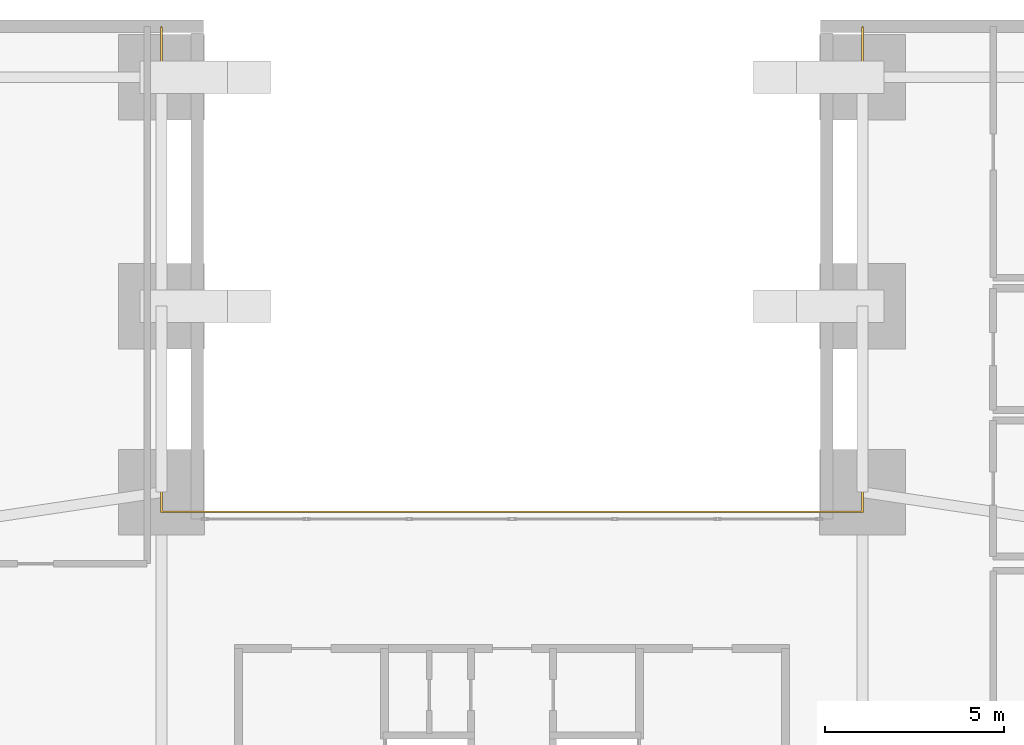
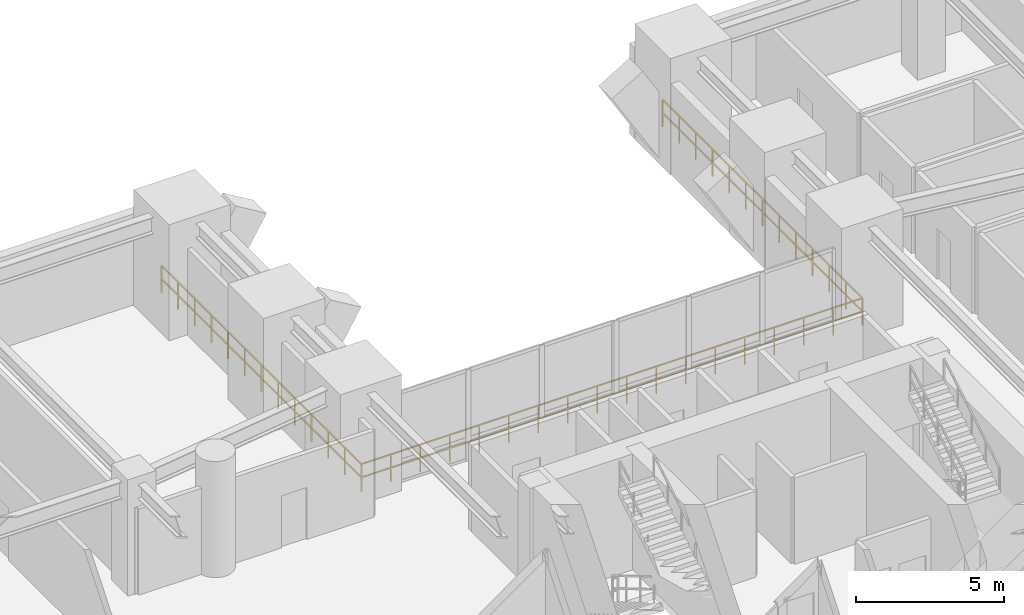
# One storey, part 14 of 14: 1 railing.
"""IFC4 building model written with IfcOpenShell, lengths in metres."""

from ifc_helpers import new_model, si_unit, direction, frame, origin, origin_2d, place, context, subcontext, project, spatial, rectangle, extrude, material, type_object, element, save


model = new_model("IFC4")

# Units and contexts
model_context = context("Model", 3, precision=1e-05, world=origin(), true_north=direction((0.0, 1.0)))
body_context = subcontext(model_context, "Body", "Model", "MODEL_VIEW")
ifc_project = project(units=[si_unit("LENGTHUNIT", "METRE"), si_unit("AREAUNIT", "SQUARE_METRE"), si_unit("VOLUMEUNIT", "CUBIC_METRE"), si_unit("PLANEANGLEUNIT", "RADIAN"), si_unit("MASSUNIT", "GRAM", prefix="KILO"), si_unit("THERMODYNAMICTEMPERATUREUNIT", "KELVIN"), si_unit("POWERUNIT", "WATT")], contexts=[model_context])

# Site, building, storey
site_placement = place(None, origin())
site = spatial("IfcSite", under=ifc_project, at=site_placement, CompositionType="ELEMENT")
building_placement = place(site_placement, origin())
building = spatial("IfcBuilding", under=site, at=building_placement, Name="Ocrelia Relay Tower", CompositionType="ELEMENT")
storey_placement = place(building_placement, frame((0.0, 0.0, 5.39990234375)))
storey = spatial("IfcBuildingStorey", under=building, at=storey_placement, Name="L01", CompositionType="ELEMENT", Elevation=5.39990234375)

# Railing
ifc_material = material(Name="Steel S355 atrium balustrade", Category="steel")
railing_type = type_object("IfcRailingType", Name="RL-INT-GUARD-115", PredefinedType="GUARDRAIL", material=ifc_material)
railing_placement = place(storey_placement, frame((24.199951171875, 51.800048828125, 0.0)))
element("IfcRailing", 1, at=railing_placement, inside=storey, type_object=railing_type, Name="L01 Portal Arch Gallery Guard N", PredefinedType="GUARDRAIL", context=body_context, shape_type="SweptSolid", body=[
    extrude(rectangle(XDim=0.048095703125, YDim=0.048095703125, at=origin_2d()), frame((0.0, 0.0, 1.1259765625), z_axis=(0.0, -1.0, 0.0), x_axis=(1.0, 0.0, 0.0)), (0.0, 0.0, 1.0), 13.550048828125),
    extrude(rectangle(XDim=0.048095703125, YDim=0.048095703125, at=origin_2d()), frame((0.0, 0.0, 0.574951171875), z_axis=(0.0, -1.0, 0.0), x_axis=(1.0, 0.0, 0.0)), (0.0, 0.0, 1.0), 13.550048828125),
    extrude(rectangle(XDim=0.048095703125, YDim=0.048095703125, at=origin_2d()), frame((0.0, -13.550048828125, 1.1259765625), z_axis=(1.0, 0.0, 0.0), x_axis=(0.0, 1.0, 0.0)), (0.0, 0.0, 1.0), 19.60009765625),
    extrude(rectangle(XDim=0.048095703125, YDim=0.048095703125, at=origin_2d()), frame((0.0, -13.550048828125, 0.574951171875), z_axis=(1.0, 0.0, 0.0), x_axis=(0.0, 1.0, 0.0)), (0.0, 0.0, 1.0), 19.60009765625),
    extrude(rectangle(XDim=0.048095703125, YDim=0.048095703125, at=origin_2d()), frame((19.60009765625, -13.550048828125, 1.1259765625), z_axis=(0.0, 1.0, 0.0), x_axis=(-1.0, 0.0, 0.0)), (0.0, 0.0, 1.0), 13.550048828125),
    extrude(rectangle(XDim=0.048095703125, YDim=0.048095703125, at=origin_2d()), frame((19.60009765625, -13.550048828125, 0.574951171875), z_axis=(0.0, 1.0, 0.0), x_axis=(-1.0, 0.0, 0.0)), (0.0, 0.0, 1.0), 13.550048828125),
    extrude(rectangle(XDim=0.0419921875, YDim=0.0419921875, at=origin_2d()), origin(), (0.0, 0.0, 1.0), 1.101806640625),
    extrude(rectangle(XDim=0.0419921875, YDim=0.0419921875, at=origin_2d()), frame((0.0, -1.129150390625, 0.0)), (0.0, 0.0, 1.0), 1.101806640625),
    extrude(rectangle(XDim=0.0419921875, YDim=0.0419921875, at=origin_2d()), frame((0.0, -2.25830078125, 0.0)), (0.0, 0.0, 1.0), 1.101806640625),
    extrude(rectangle(XDim=0.0419921875, YDim=0.0419921875, at=origin_2d()), frame((0.0, -3.387451171875, 0.0)), (0.0, 0.0, 1.0), 1.101806640625),
    extrude(rectangle(XDim=0.0419921875, YDim=0.0419921875, at=origin_2d()), frame((0.0, -4.5166015625, 0.0)), (0.0, 0.0, 1.0), 1.101806640625),
    extrude(rectangle(XDim=0.0419921875, YDim=0.0419921875, at=origin_2d()), frame((0.0, -5.645751953125, 0.0)), (0.0, 0.0, 1.0), 1.101806640625),
    extrude(rectangle(XDim=0.0419921875, YDim=0.0419921875, at=origin_2d()), frame((0.0, -6.77490234375, 0.0)), (0.0, 0.0, 1.0), 1.101806640625),
    extrude(rectangle(XDim=0.0419921875, YDim=0.0419921875, at=origin_2d()), frame((0.0, -7.904296875, 0.0)), (0.0, 0.0, 1.0), 1.101806640625),
    extrude(rectangle(XDim=0.0419921875, YDim=0.0419921875, at=origin_2d()), frame((0.0, -9.033447265625, 0.0)), (0.0, 0.0, 1.0), 1.101806640625),
    extrude(rectangle(XDim=0.0419921875, YDim=0.0419921875, at=origin_2d()), frame((0.0, -10.16259765625, 0.0)), (0.0, 0.0, 1.0), 1.101806640625),
    extrude(rectangle(XDim=0.0419921875, YDim=0.0419921875, at=origin_2d()), frame((0.0, -11.291748046875, 0.0)), (0.0, 0.0, 1.0), 1.101806640625),
    extrude(rectangle(XDim=0.0419921875, YDim=0.0419921875, at=origin_2d()), frame((0.0, -12.4208984375, 0.0)), (0.0, 0.0, 1.0), 1.101806640625),
    extrude(rectangle(XDim=0.0419921875, YDim=0.0419921875, at=origin_2d()), frame((0.0, -13.550048828125, 0.0)), (0.0, 0.0, 1.0), 1.101806640625),
    extrude(rectangle(XDim=0.0419921875, YDim=0.0419921875, at=origin_2d()), frame((1.15283203125, -13.550048828125, 0.0)), (0.0, 0.0, 1.0), 1.101806640625),
    extrude(rectangle(XDim=0.0419921875, YDim=0.0419921875, at=origin_2d()), frame((2.305908203125, -13.550048828125, 0.0)), (0.0, 0.0, 1.0), 1.101806640625),
    extrude(rectangle(XDim=0.0419921875, YDim=0.0419921875, at=origin_2d()), frame((3.458740234375, -13.550048828125, 0.0)), (0.0, 0.0, 1.0), 1.101806640625),
    extrude(rectangle(XDim=0.0419921875, YDim=0.0419921875, at=origin_2d()), frame((4.61181640625, -13.550048828125, 0.0)), (0.0, 0.0, 1.0), 1.101806640625),
    extrude(rectangle(XDim=0.0419921875, YDim=0.0419921875, at=origin_2d()), frame((5.7646484375, -13.550048828125, 0.0)), (0.0, 0.0, 1.0), 1.101806640625),
    extrude(rectangle(XDim=0.0419921875, YDim=0.0419921875, at=origin_2d()), frame((6.917724609375, -13.550048828125, 0.0)), (0.0, 0.0, 1.0), 1.101806640625),
    extrude(rectangle(XDim=0.0419921875, YDim=0.0419921875, at=origin_2d()), frame((8.070556640625, -13.550048828125, 0.0)), (0.0, 0.0, 1.0), 1.101806640625),
    extrude(rectangle(XDim=0.0419921875, YDim=0.0419921875, at=origin_2d()), frame((9.2236328125, -13.550048828125, 0.0)), (0.0, 0.0, 1.0), 1.101806640625),
    extrude(rectangle(XDim=0.0419921875, YDim=0.0419921875, at=origin_2d()), frame((10.37646484375, -13.550048828125, 0.0)), (0.0, 0.0, 1.0), 1.101806640625),
    extrude(rectangle(XDim=0.0419921875, YDim=0.0419921875, at=origin_2d()), frame((11.529541015625, -13.550048828125, 0.0)), (0.0, 0.0, 1.0), 1.101806640625),
    extrude(rectangle(XDim=0.0419921875, YDim=0.0419921875, at=origin_2d()), frame((12.682373046875, -13.550048828125, 0.0)), (0.0, 0.0, 1.0), 1.101806640625),
    extrude(rectangle(XDim=0.0419921875, YDim=0.0419921875, at=origin_2d()), frame((13.83544921875, -13.550048828125, 0.0)), (0.0, 0.0, 1.0), 1.101806640625),
    extrude(rectangle(XDim=0.0419921875, YDim=0.0419921875, at=origin_2d()), frame((14.98828125, -13.550048828125, 0.0)), (0.0, 0.0, 1.0), 1.101806640625),
    extrude(rectangle(XDim=0.0419921875, YDim=0.0419921875, at=origin_2d()), frame((16.141357421875, -13.550048828125, 0.0)), (0.0, 0.0, 1.0), 1.101806640625),
    extrude(rectangle(XDim=0.0419921875, YDim=0.0419921875, at=origin_2d()), frame((17.294189453125, -13.550048828125, 0.0)), (0.0, 0.0, 1.0), 1.101806640625),
    extrude(rectangle(XDim=0.0419921875, YDim=0.0419921875, at=origin_2d()), frame((18.447265625, -13.550048828125, 0.0)), (0.0, 0.0, 1.0), 1.101806640625),
    extrude(rectangle(XDim=0.0419921875, YDim=0.0419921875, at=origin_2d()), frame((19.60009765625, -13.550048828125, 0.0)), (0.0, 0.0, 1.0), 1.101806640625),
    extrude(rectangle(XDim=0.0419921875, YDim=0.0419921875, at=origin_2d()), frame((19.60009765625, -12.4208984375, 0.0)), (0.0, 0.0, 1.0), 1.101806640625),
    extrude(rectangle(XDim=0.0419921875, YDim=0.0419921875, at=origin_2d()), frame((19.60009765625, -11.291748046875, 0.0)), (0.0, 0.0, 1.0), 1.101806640625),
    extrude(rectangle(XDim=0.0419921875, YDim=0.0419921875, at=origin_2d()), frame((19.60009765625, -10.16259765625, 0.0)), (0.0, 0.0, 1.0), 1.101806640625),
    extrude(rectangle(XDim=0.0419921875, YDim=0.0419921875, at=origin_2d()), frame((19.60009765625, -9.033447265625, 0.0)), (0.0, 0.0, 1.0), 1.101806640625),
    extrude(rectangle(XDim=0.0419921875, YDim=0.0419921875, at=origin_2d()), frame((19.60009765625, -7.904296875, 0.0)), (0.0, 0.0, 1.0), 1.101806640625),
    extrude(rectangle(XDim=0.0419921875, YDim=0.0419921875, at=origin_2d()), frame((19.60009765625, -6.77490234375, 0.0)), (0.0, 0.0, 1.0), 1.101806640625),
    extrude(rectangle(XDim=0.0419921875, YDim=0.0419921875, at=origin_2d()), frame((19.60009765625, -5.645751953125, 0.0)), (0.0, 0.0, 1.0), 1.101806640625),
    extrude(rectangle(XDim=0.0419921875, YDim=0.0419921875, at=origin_2d()), frame((19.60009765625, -4.5166015625, 0.0)), (0.0, 0.0, 1.0), 1.101806640625),
    extrude(rectangle(XDim=0.0419921875, YDim=0.0419921875, at=origin_2d()), frame((19.60009765625, -3.387451171875, 0.0)), (0.0, 0.0, 1.0), 1.101806640625),
    extrude(rectangle(XDim=0.0419921875, YDim=0.0419921875, at=origin_2d()), frame((19.60009765625, -2.25830078125, 0.0)), (0.0, 0.0, 1.0), 1.101806640625),
    extrude(rectangle(XDim=0.0419921875, YDim=0.0419921875, at=origin_2d()), frame((19.60009765625, -1.129150390625, 0.0)), (0.0, 0.0, 1.0), 1.101806640625),
    extrude(rectangle(XDim=0.0419921875, YDim=0.0419921875, at=origin_2d()), frame((19.60009765625, 0.0, 0.0)), (0.0, 0.0, 1.0), 1.101806640625),
])

save(model, "model.ifc")
